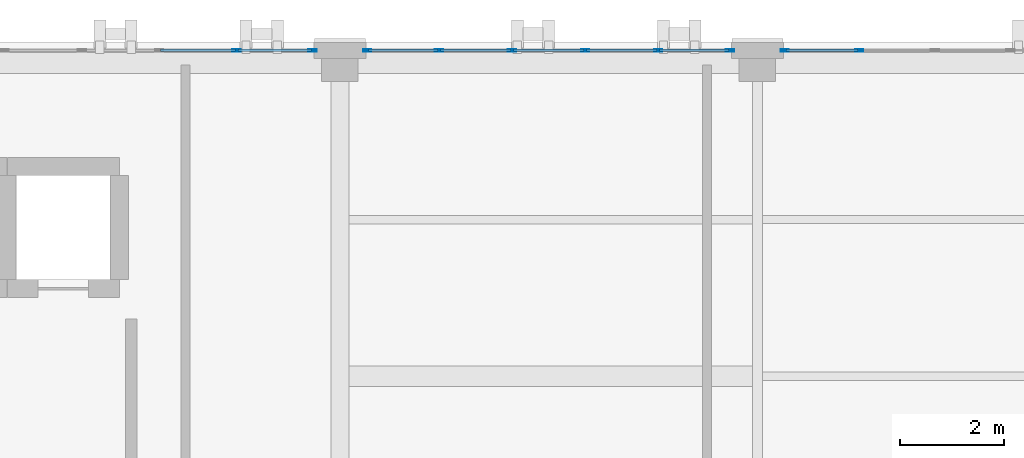
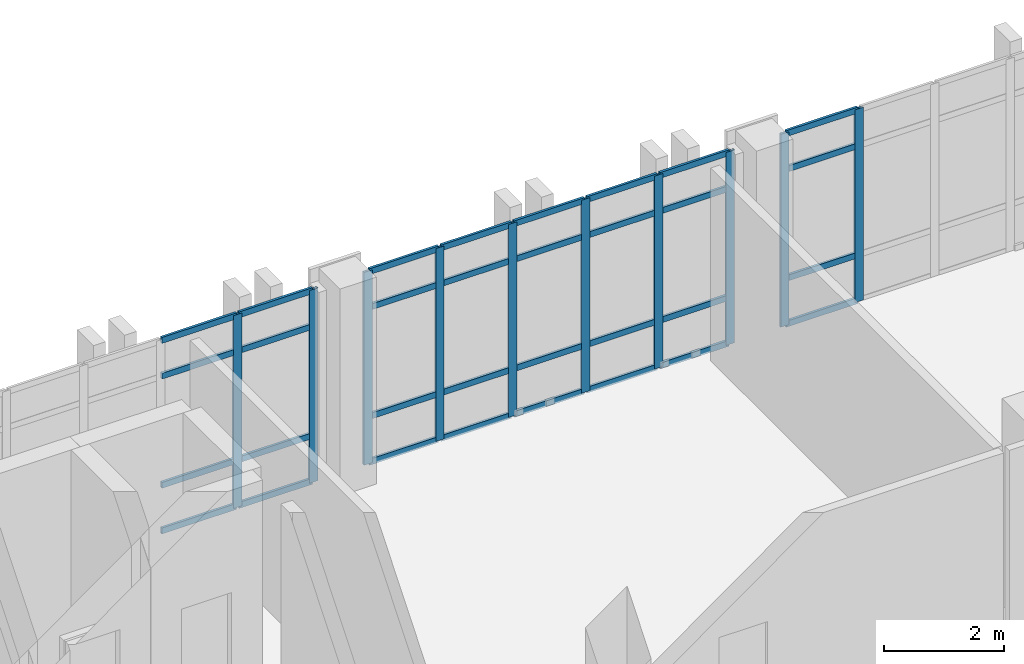
# One storey, part 97 of 193: 42 members, 3 elements without a shape of their own.
"""IFC4 building model written with IfcOpenShell, lengths in metres."""

from ifc_helpers import new_model, si_unit, direction, frame, origin, origin_2d, place, context, subcontext, project, spatial, hollow_rectangle, extrude, material, layer, layer_set, material_profile, profile_set, type_object, element, aggregate, save


model = new_model("IFC4")

# Units and contexts
model_context = context("Model", 3, precision=1e-05, world=origin(), true_north=direction((0.0, 1.0)))
body_context = subcontext(model_context, "Body", "Model", "MODEL_VIEW")
ifc_project = project(units=[si_unit("LENGTHUNIT", "METRE"), si_unit("AREAUNIT", "SQUARE_METRE"), si_unit("VOLUMEUNIT", "CUBIC_METRE"), si_unit("PLANEANGLEUNIT", "RADIAN"), si_unit("MASSUNIT", "GRAM", prefix="KILO")], contexts=[model_context])

# Site, building, storey
site_placement = place(None, origin())
site = spatial("IfcSite", under=ifc_project, at=site_placement, CompositionType="ELEMENT")
building_placement = place(site_placement, origin())
building = spatial("IfcBuilding", under=site, at=building_placement, Name="Qalavern Law Courts", CompositionType="ELEMENT")
storey_placement = place(building_placement, frame((0.0, 0.0, 10.199951171875)))
storey = spatial("IfcBuildingStorey", under=building, at=storey_placement, Name="L02", CompositionType="ELEMENT", Elevation=10.199951171875)

# Curtain wall, members
ifc_material_1 = material(Name="Anodised aluminium and insulated glazing", Category="aluminium")
ifc_layer = layer(ifc_material_1, 0.166015625)
ifc_layer_set = layer_set([ifc_layer], Name="Anodised aluminium and insulated glazing")
curtain_wall_type = type_object("IfcCurtainWallType", Name="ENV-CW-LIB", PredefinedType="USERDEFINED", material=ifc_layer_set)
curtain_wall_1_placement = place(storey_placement, origin())
curtain_wall_1 = element("IfcCurtainWall", 1, at=curtain_wall_1_placement, inside=storey, type_object=curtain_wall_type, Name="V5 unitised curtain wall L02 north 3", ObjectType="UNITISED CURTAIN WALL", PredefinedType="USERDEFINED")
ifc_material_2 = material(Name="Anodised aluminium", Category="aluminium")
ifc_material_profile_1 = material_profile(ifc_material_2, hollow_rectangle(XDim=0.048095703125, YDim=0.159912109375, WallThickness=0.00390625, at=origin_2d()), Name="ALU MULLION 48x160")
ifc_profile_set_1 = profile_set([ifc_material_profile_1], Name="Anodised aluminium")
member_type_1 = type_object("IfcMemberType", Name="ENV-CWM-48x160", PredefinedType="MULLION", material=ifc_profile_set_1)
member_1_placement = place(storey_placement, frame((46.75, 112.844970703125, 0.0), z_axis=(0.0, 0.0, 1.0), x_axis=(0.0, -1.0, 0.0)))
member_1 = element("IfcMember", 2, at=member_1_placement, type_object=member_type_1, Name="CW-05 mullion 4", PredefinedType="MULLION", context=body_context, shape_type="SweptSolid", body=[
    extrude(hollow_rectangle(XDim=0.048095703125, YDim=0.159912109375, WallThickness=0.00390625, at=origin_2d()), origin(), (0.0, 0.0, 1.0), 3.9150390625),
])
member_2_placement = place(storey_placement, frame((45.323974609375, 112.844970703125, 0.0), z_axis=(0.0, 0.0, 1.0), x_axis=(0.0, -1.0, 0.0)))
member_2 = element("IfcMember", 3, at=member_2_placement, type_object=member_type_1, Name="CW-05 mullion 5", PredefinedType="MULLION", context=body_context, shape_type="SweptSolid", body=[
    extrude(hollow_rectangle(XDim=0.048095703125, YDim=0.159912109375, WallThickness=0.00390625, at=origin_2d()), origin(), (0.0, 0.0, 1.0), 3.9150390625),
])

curtain_wall_2_placement = place(storey_placement, origin())
curtain_wall_2 = element("IfcCurtainWall", 4, at=curtain_wall_2_placement, inside=storey, type_object=curtain_wall_type, Name="V5 unitised curtain wall L02 north 4", ObjectType="UNITISED CURTAIN WALL", PredefinedType="USERDEFINED")
member_3_placement = place(storey_placement, frame((44.27587890625, 112.844970703125, 0.0), z_axis=(0.0, 0.0, 1.0), x_axis=(0.0, -1.0, 0.0)))
member_3 = element("IfcMember", 5, at=member_3_placement, type_object=member_type_1, Name="CW-05 mullion 1", PredefinedType="MULLION", context=body_context, shape_type="SweptSolid", body=[
    extrude(hollow_rectangle(XDim=0.048095703125, YDim=0.159912109375, WallThickness=0.00390625, at=origin_2d()), origin(), (0.0, 0.0, 1.0), 3.9150390625),
])
member_4_placement = place(storey_placement, frame((42.89990234375, 112.844970703125, 0.0), z_axis=(0.0, 0.0, 1.0), x_axis=(0.0, -1.0, 0.0)))
member_4 = element("IfcMember", 6, at=member_4_placement, type_object=member_type_1, Name="CW-05 mullion 2", PredefinedType="MULLION", context=body_context, shape_type="SweptSolid", body=[
    extrude(hollow_rectangle(XDim=0.048095703125, YDim=0.159912109375, WallThickness=0.00390625, at=origin_2d()), origin(), (0.0, 0.0, 1.0), 3.9150390625),
])
member_5_placement = place(storey_placement, frame((41.5, 112.844970703125, 0.0), z_axis=(0.0, 0.0, 1.0), x_axis=(0.0, -1.0, 0.0)))
member_5 = element("IfcMember", 7, at=member_5_placement, type_object=member_type_1, Name="CW-05 mullion 3", PredefinedType="MULLION", context=body_context, shape_type="SweptSolid", body=[
    extrude(hollow_rectangle(XDim=0.048095703125, YDim=0.159912109375, WallThickness=0.00390625, at=origin_2d()), origin(), (0.0, 0.0, 1.0), 3.9150390625),
])
member_6_placement = place(storey_placement, frame((40.10009765625, 112.844970703125, 0.0), z_axis=(0.0, 0.0, 1.0), x_axis=(0.0, -1.0, 0.0)))
member_6 = element("IfcMember", 8, at=member_6_placement, type_object=member_type_1, Name="CW-05 mullion 4", PredefinedType="MULLION", context=body_context, shape_type="SweptSolid", body=[
    extrude(hollow_rectangle(XDim=0.048095703125, YDim=0.159912109375, WallThickness=0.00390625, at=origin_2d()), origin(), (0.0, 0.0, 1.0), 3.9150390625),
])
member_7_placement = place(storey_placement, frame((38.699951171875, 112.844970703125, 0.0), z_axis=(0.0, 0.0, 1.0), x_axis=(0.0, -1.0, 0.0)))
member_7 = element("IfcMember", 9, at=member_7_placement, type_object=member_type_1, Name="CW-05 mullion 5", PredefinedType="MULLION", context=body_context, shape_type="SweptSolid", body=[
    extrude(hollow_rectangle(XDim=0.048095703125, YDim=0.159912109375, WallThickness=0.00390625, at=origin_2d()), origin(), (0.0, 0.0, 1.0), 3.9150390625),
])
member_8_placement = place(storey_placement, frame((37.323974609375, 112.844970703125, 0.0), z_axis=(0.0, 0.0, 1.0), x_axis=(0.0, -1.0, 0.0)))
member_8 = element("IfcMember", 10, at=member_8_placement, type_object=member_type_1, Name="CW-05 mullion 6", PredefinedType="MULLION", context=body_context, shape_type="SweptSolid", body=[
    extrude(hollow_rectangle(XDim=0.048095703125, YDim=0.159912109375, WallThickness=0.00390625, at=origin_2d()), origin(), (0.0, 0.0, 1.0), 3.9150390625),
])

curtain_wall_3_placement = place(storey_placement, origin())
curtain_wall_3 = element("IfcCurtainWall", 11, at=curtain_wall_3_placement, inside=storey, type_object=curtain_wall_type, Name="V5 unitised curtain wall L02 north 5", ObjectType="UNITISED CURTAIN WALL", PredefinedType="USERDEFINED")
member_9_placement = place(storey_placement, frame((36.27587890625, 112.844970703125, 0.0), z_axis=(0.0, 0.0, 1.0), x_axis=(0.0, -1.0, 0.0)))
member_9 = element("IfcMember", 12, at=member_9_placement, type_object=member_type_1, Name="CW-05 mullion 1", PredefinedType="MULLION", context=body_context, shape_type="SweptSolid", body=[
    extrude(hollow_rectangle(XDim=0.048095703125, YDim=0.159912109375, WallThickness=0.00390625, at=origin_2d()), origin(), (0.0, 0.0, 1.0), 3.9150390625),
])
member_10_placement = place(storey_placement, frame((34.820068359375, 112.844970703125, 0.0), z_axis=(0.0, 0.0, 1.0), x_axis=(0.0, -1.0, 0.0)))
member_10 = element("IfcMember", 13, at=member_10_placement, type_object=member_type_1, Name="CW-05 mullion 2", PredefinedType="MULLION", context=body_context, shape_type="SweptSolid", body=[
    extrude(hollow_rectangle(XDim=0.048095703125, YDim=0.159912109375, WallThickness=0.00390625, at=origin_2d()), origin(), (0.0, 0.0, 1.0), 3.9150390625),
])

# Member
ifc_material_profile_2 = material_profile(ifc_material_2, hollow_rectangle(XDim=0.048095703125, YDim=0.1201171875, WallThickness=0.00390625, at=origin_2d()), Name="ALU TRANSOM 48x120")
ifc_profile_set_2 = profile_set([ifc_material_profile_2], Name="Anodised aluminium")
member_type_2 = type_object("IfcMemberType", Name="ENV-CWT-48x120", PredefinedType="USERDEFINED", material=ifc_profile_set_2)
member_11_placement = place(storey_placement, frame((46.72607421875, 112.844970703125, 0.024169921875), z_axis=(-1.0, 0.0, 0.0), x_axis=(0.0, -1.0, 0.0)))
member_11 = element("IfcMember", 14, at=member_11_placement, type_object=member_type_2, Name="CW-05 transom 4.1", ObjectType="TRANSOM", PredefinedType="USERDEFINED", context=body_context, shape_type="SweptSolid", body=[
    extrude(hollow_rectangle(XDim=0.048095703125, YDim=0.1201171875, WallThickness=0.00390625, at=origin_2d()), origin(), (0.0, 0.0, 1.0), 1.378173828125),
])

member_12_placement = place(storey_placement, frame((46.72607421875, 112.844970703125, 0.949951171875), z_axis=(-1.0, 0.0, 0.0), x_axis=(0.0, -1.0, 0.0)))
member_12 = element("IfcMember", 15, at=member_12_placement, type_object=member_type_2, Name="CW-05 transom 4.2", ObjectType="TRANSOM", PredefinedType="USERDEFINED", context=body_context, shape_type="SweptSolid", body=[
    extrude(hollow_rectangle(XDim=0.048095703125, YDim=0.1201171875, WallThickness=0.00390625, at=origin_2d()), origin(), (0.0, 0.0, 1.0), 1.378173828125),
])

member_13_placement = place(storey_placement, frame((46.72607421875, 112.844970703125, 3.1650390625), z_axis=(-1.0, 0.0, 0.0), x_axis=(0.0, -1.0, 0.0)))
member_13 = element("IfcMember", 16, at=member_13_placement, type_object=member_type_2, Name="CW-05 transom 4.3", ObjectType="TRANSOM", PredefinedType="USERDEFINED", context=body_context, shape_type="SweptSolid", body=[
    extrude(hollow_rectangle(XDim=0.048095703125, YDim=0.1201171875, WallThickness=0.00390625, at=origin_2d()), origin(), (0.0, 0.0, 1.0), 1.378173828125),
])

member_14_placement = place(storey_placement, frame((46.72607421875, 112.844970703125, 3.89111328125), z_axis=(-1.0, 0.0, 0.0), x_axis=(0.0, -1.0, 0.0)))
member_14 = element("IfcMember", 17, at=member_14_placement, type_object=member_type_2, Name="CW-05 transom 4.4", ObjectType="TRANSOM", PredefinedType="USERDEFINED", context=body_context, shape_type="SweptSolid", body=[
    extrude(hollow_rectangle(XDim=0.048095703125, YDim=0.1201171875, WallThickness=0.00390625, at=origin_2d()), origin(), (0.0, 0.0, 1.0), 1.378173828125),
])

aggregate(curtain_wall_1, [member_1, member_2, member_11, member_12, member_13, member_14])

member_15_placement = place(storey_placement, frame((44.251953125, 112.844970703125, 0.024169921875), z_axis=(-1.0, 0.0, 0.0), x_axis=(0.0, -1.0, 0.0)))
member_15 = element("IfcMember", 18, at=member_15_placement, type_object=member_type_2, Name="CW-05 transom 1.1", ObjectType="TRANSOM", PredefinedType="USERDEFINED", context=body_context, shape_type="SweptSolid", body=[
    extrude(hollow_rectangle(XDim=0.048095703125, YDim=0.1201171875, WallThickness=0.00390625, at=origin_2d()), origin(), (0.0, 0.0, 1.0), 1.327880859375),
])

member_16_placement = place(storey_placement, frame((44.251953125, 112.844970703125, 0.949951171875), z_axis=(-1.0, 0.0, 0.0), x_axis=(0.0, -1.0, 0.0)))
member_16 = element("IfcMember", 19, at=member_16_placement, type_object=member_type_2, Name="CW-05 transom 1.2", ObjectType="TRANSOM", PredefinedType="USERDEFINED", context=body_context, shape_type="SweptSolid", body=[
    extrude(hollow_rectangle(XDim=0.048095703125, YDim=0.1201171875, WallThickness=0.00390625, at=origin_2d()), origin(), (0.0, 0.0, 1.0), 1.327880859375),
])

member_17_placement = place(storey_placement, frame((44.251953125, 112.844970703125, 3.1650390625), z_axis=(-1.0, 0.0, 0.0), x_axis=(0.0, -1.0, 0.0)))
member_17 = element("IfcMember", 20, at=member_17_placement, type_object=member_type_2, Name="CW-05 transom 1.3", ObjectType="TRANSOM", PredefinedType="USERDEFINED", context=body_context, shape_type="SweptSolid", body=[
    extrude(hollow_rectangle(XDim=0.048095703125, YDim=0.1201171875, WallThickness=0.00390625, at=origin_2d()), origin(), (0.0, 0.0, 1.0), 1.327880859375),
])

member_18_placement = place(storey_placement, frame((44.251953125, 112.844970703125, 3.89111328125), z_axis=(-1.0, 0.0, 0.0), x_axis=(0.0, -1.0, 0.0)))
member_18 = element("IfcMember", 21, at=member_18_placement, type_object=member_type_2, Name="CW-05 transom 1.4", ObjectType="TRANSOM", PredefinedType="USERDEFINED", context=body_context, shape_type="SweptSolid", body=[
    extrude(hollow_rectangle(XDim=0.048095703125, YDim=0.1201171875, WallThickness=0.00390625, at=origin_2d()), origin(), (0.0, 0.0, 1.0), 1.327880859375),
])

member_19_placement = place(storey_placement, frame((42.8759765625, 112.844970703125, 0.024169921875), z_axis=(-1.0, 0.0, 0.0), x_axis=(0.0, -1.0, 0.0)))
member_19 = element("IfcMember", 22, at=member_19_placement, type_object=member_type_2, Name="CW-05 transom 2.1", ObjectType="TRANSOM", PredefinedType="USERDEFINED", context=body_context, shape_type="SweptSolid", body=[
    extrude(hollow_rectangle(XDim=0.048095703125, YDim=0.1201171875, WallThickness=0.00390625, at=origin_2d()), origin(), (0.0, 0.0, 1.0), 1.35205078125),
])

member_20_placement = place(storey_placement, frame((42.8759765625, 112.844970703125, 0.949951171875), z_axis=(-1.0, 0.0, 0.0), x_axis=(0.0, -1.0, 0.0)))
member_20 = element("IfcMember", 23, at=member_20_placement, type_object=member_type_2, Name="CW-05 transom 2.2", ObjectType="TRANSOM", PredefinedType="USERDEFINED", context=body_context, shape_type="SweptSolid", body=[
    extrude(hollow_rectangle(XDim=0.048095703125, YDim=0.1201171875, WallThickness=0.00390625, at=origin_2d()), origin(), (0.0, 0.0, 1.0), 1.35205078125),
])

member_21_placement = place(storey_placement, frame((42.8759765625, 112.844970703125, 3.1650390625), z_axis=(-1.0, 0.0, 0.0), x_axis=(0.0, -1.0, 0.0)))
member_21 = element("IfcMember", 24, at=member_21_placement, type_object=member_type_2, Name="CW-05 transom 2.3", ObjectType="TRANSOM", PredefinedType="USERDEFINED", context=body_context, shape_type="SweptSolid", body=[
    extrude(hollow_rectangle(XDim=0.048095703125, YDim=0.1201171875, WallThickness=0.00390625, at=origin_2d()), origin(), (0.0, 0.0, 1.0), 1.35205078125),
])

member_22_placement = place(storey_placement, frame((42.8759765625, 112.844970703125, 3.89111328125), z_axis=(-1.0, 0.0, 0.0), x_axis=(0.0, -1.0, 0.0)))
member_22 = element("IfcMember", 25, at=member_22_placement, type_object=member_type_2, Name="CW-05 transom 2.4", ObjectType="TRANSOM", PredefinedType="USERDEFINED", context=body_context, shape_type="SweptSolid", body=[
    extrude(hollow_rectangle(XDim=0.048095703125, YDim=0.1201171875, WallThickness=0.00390625, at=origin_2d()), origin(), (0.0, 0.0, 1.0), 1.35205078125),
])

member_23_placement = place(storey_placement, frame((41.47607421875, 112.844970703125, 0.024169921875), z_axis=(-1.0, 0.0, 0.0), x_axis=(0.0, -1.0, 0.0)))
member_23 = element("IfcMember", 26, at=member_23_placement, type_object=member_type_2, Name="CW-05 transom 3.1", ObjectType="TRANSOM", PredefinedType="USERDEFINED", context=body_context, shape_type="SweptSolid", body=[
    extrude(hollow_rectangle(XDim=0.048095703125, YDim=0.1201171875, WallThickness=0.00390625, at=origin_2d()), origin(), (0.0, 0.0, 1.0), 1.35205078125),
])

member_24_placement = place(storey_placement, frame((41.47607421875, 112.844970703125, 0.949951171875), z_axis=(-1.0, 0.0, 0.0), x_axis=(0.0, -1.0, 0.0)))
member_24 = element("IfcMember", 27, at=member_24_placement, type_object=member_type_2, Name="CW-05 transom 3.2", ObjectType="TRANSOM", PredefinedType="USERDEFINED", context=body_context, shape_type="SweptSolid", body=[
    extrude(hollow_rectangle(XDim=0.048095703125, YDim=0.1201171875, WallThickness=0.00390625, at=origin_2d()), origin(), (0.0, 0.0, 1.0), 1.35205078125),
])

member_25_placement = place(storey_placement, frame((41.47607421875, 112.844970703125, 3.1650390625), z_axis=(-1.0, 0.0, 0.0), x_axis=(0.0, -1.0, 0.0)))
member_25 = element("IfcMember", 28, at=member_25_placement, type_object=member_type_2, Name="CW-05 transom 3.3", ObjectType="TRANSOM", PredefinedType="USERDEFINED", context=body_context, shape_type="SweptSolid", body=[
    extrude(hollow_rectangle(XDim=0.048095703125, YDim=0.1201171875, WallThickness=0.00390625, at=origin_2d()), origin(), (0.0, 0.0, 1.0), 1.35205078125),
])

member_26_placement = place(storey_placement, frame((41.47607421875, 112.844970703125, 3.89111328125), z_axis=(-1.0, 0.0, 0.0), x_axis=(0.0, -1.0, 0.0)))
member_26 = element("IfcMember", 29, at=member_26_placement, type_object=member_type_2, Name="CW-05 transom 3.4", ObjectType="TRANSOM", PredefinedType="USERDEFINED", context=body_context, shape_type="SweptSolid", body=[
    extrude(hollow_rectangle(XDim=0.048095703125, YDim=0.1201171875, WallThickness=0.00390625, at=origin_2d()), origin(), (0.0, 0.0, 1.0), 1.35205078125),
])

member_27_placement = place(storey_placement, frame((40.075927734375, 112.844970703125, 0.024169921875), z_axis=(-1.0, 0.0, 0.0), x_axis=(0.0, -1.0, 0.0)))
member_27 = element("IfcMember", 30, at=member_27_placement, type_object=member_type_2, Name="CW-05 transom 4.1", ObjectType="TRANSOM", PredefinedType="USERDEFINED", context=body_context, shape_type="SweptSolid", body=[
    extrude(hollow_rectangle(XDim=0.048095703125, YDim=0.1201171875, WallThickness=0.00390625, at=origin_2d()), origin(), (0.0, 0.0, 1.0), 1.351806640625),
])

member_28_placement = place(storey_placement, frame((40.075927734375, 112.844970703125, 0.949951171875), z_axis=(-1.0, 0.0, 0.0), x_axis=(0.0, -1.0, 0.0)))
member_28 = element("IfcMember", 31, at=member_28_placement, type_object=member_type_2, Name="CW-05 transom 4.2", ObjectType="TRANSOM", PredefinedType="USERDEFINED", context=body_context, shape_type="SweptSolid", body=[
    extrude(hollow_rectangle(XDim=0.048095703125, YDim=0.1201171875, WallThickness=0.00390625, at=origin_2d()), origin(), (0.0, 0.0, 1.0), 1.351806640625),
])

member_29_placement = place(storey_placement, frame((40.075927734375, 112.844970703125, 3.1650390625), z_axis=(-1.0, 0.0, 0.0), x_axis=(0.0, -1.0, 0.0)))
member_29 = element("IfcMember", 32, at=member_29_placement, type_object=member_type_2, Name="CW-05 transom 4.3", ObjectType="TRANSOM", PredefinedType="USERDEFINED", context=body_context, shape_type="SweptSolid", body=[
    extrude(hollow_rectangle(XDim=0.048095703125, YDim=0.1201171875, WallThickness=0.00390625, at=origin_2d()), origin(), (0.0, 0.0, 1.0), 1.351806640625),
])

member_30_placement = place(storey_placement, frame((40.075927734375, 112.844970703125, 3.89111328125), z_axis=(-1.0, 0.0, 0.0), x_axis=(0.0, -1.0, 0.0)))
member_30 = element("IfcMember", 33, at=member_30_placement, type_object=member_type_2, Name="CW-05 transom 4.4", ObjectType="TRANSOM", PredefinedType="USERDEFINED", context=body_context, shape_type="SweptSolid", body=[
    extrude(hollow_rectangle(XDim=0.048095703125, YDim=0.1201171875, WallThickness=0.00390625, at=origin_2d()), origin(), (0.0, 0.0, 1.0), 1.351806640625),
])

member_31_placement = place(storey_placement, frame((38.676025390625, 112.844970703125, 0.024169921875), z_axis=(-1.0, 0.0, 0.0), x_axis=(0.0, -1.0, 0.0)))
member_31 = element("IfcMember", 34, at=member_31_placement, type_object=member_type_2, Name="CW-05 transom 5.1", ObjectType="TRANSOM", PredefinedType="USERDEFINED", context=body_context, shape_type="SweptSolid", body=[
    extrude(hollow_rectangle(XDim=0.048095703125, YDim=0.1201171875, WallThickness=0.00390625, at=origin_2d()), origin(), (0.0, 0.0, 1.0), 1.328125),
])

member_32_placement = place(storey_placement, frame((38.676025390625, 112.844970703125, 0.949951171875), z_axis=(-1.0, 0.0, 0.0), x_axis=(0.0, -1.0, 0.0)))
member_32 = element("IfcMember", 35, at=member_32_placement, type_object=member_type_2, Name="CW-05 transom 5.2", ObjectType="TRANSOM", PredefinedType="USERDEFINED", context=body_context, shape_type="SweptSolid", body=[
    extrude(hollow_rectangle(XDim=0.048095703125, YDim=0.1201171875, WallThickness=0.00390625, at=origin_2d()), origin(), (0.0, 0.0, 1.0), 1.328125),
])

member_33_placement = place(storey_placement, frame((38.676025390625, 112.844970703125, 3.1650390625), z_axis=(-1.0, 0.0, 0.0), x_axis=(0.0, -1.0, 0.0)))
member_33 = element("IfcMember", 36, at=member_33_placement, type_object=member_type_2, Name="CW-05 transom 5.3", ObjectType="TRANSOM", PredefinedType="USERDEFINED", context=body_context, shape_type="SweptSolid", body=[
    extrude(hollow_rectangle(XDim=0.048095703125, YDim=0.1201171875, WallThickness=0.00390625, at=origin_2d()), origin(), (0.0, 0.0, 1.0), 1.328125),
])

member_34_placement = place(storey_placement, frame((38.676025390625, 112.844970703125, 3.89111328125), z_axis=(-1.0, 0.0, 0.0), x_axis=(0.0, -1.0, 0.0)))
member_34 = element("IfcMember", 37, at=member_34_placement, type_object=member_type_2, Name="CW-05 transom 5.4", ObjectType="TRANSOM", PredefinedType="USERDEFINED", context=body_context, shape_type="SweptSolid", body=[
    extrude(hollow_rectangle(XDim=0.048095703125, YDim=0.1201171875, WallThickness=0.00390625, at=origin_2d()), origin(), (0.0, 0.0, 1.0), 1.328125),
])

aggregate(curtain_wall_2, [member_3, member_4, member_5, member_6, member_7, member_8, member_15, member_16, member_17, member_18, member_19, member_20, member_21, member_22, member_23, member_24, member_25, member_26, member_27, member_28, member_29, member_30, member_31, member_32, member_33, member_34])

member_35_placement = place(storey_placement, frame((36.251953125, 112.844970703125, 0.024169921875), z_axis=(-1.0, 0.0, 0.0), x_axis=(0.0, -1.0, 0.0)))
member_35 = element("IfcMember", 38, at=member_35_placement, type_object=member_type_2, Name="CW-05 transom 1.1", ObjectType="TRANSOM", PredefinedType="USERDEFINED", context=body_context, shape_type="SweptSolid", body=[
    extrude(hollow_rectangle(XDim=0.048095703125, YDim=0.1201171875, WallThickness=0.00390625, at=origin_2d()), origin(), (0.0, 0.0, 1.0), 1.407958984375),
])

member_36_placement = place(storey_placement, frame((36.251953125, 112.844970703125, 0.949951171875), z_axis=(-1.0, 0.0, 0.0), x_axis=(0.0, -1.0, 0.0)))
member_36 = element("IfcMember", 39, at=member_36_placement, type_object=member_type_2, Name="CW-05 transom 1.2", ObjectType="TRANSOM", PredefinedType="USERDEFINED", context=body_context, shape_type="SweptSolid", body=[
    extrude(hollow_rectangle(XDim=0.048095703125, YDim=0.1201171875, WallThickness=0.00390625, at=origin_2d()), origin(), (0.0, 0.0, 1.0), 1.407958984375),
])

member_37_placement = place(storey_placement, frame((36.251953125, 112.844970703125, 3.1650390625), z_axis=(-1.0, 0.0, 0.0), x_axis=(0.0, -1.0, 0.0)))
member_37 = element("IfcMember", 40, at=member_37_placement, type_object=member_type_2, Name="CW-05 transom 1.3", ObjectType="TRANSOM", PredefinedType="USERDEFINED", context=body_context, shape_type="SweptSolid", body=[
    extrude(hollow_rectangle(XDim=0.048095703125, YDim=0.1201171875, WallThickness=0.00390625, at=origin_2d()), origin(), (0.0, 0.0, 1.0), 1.407958984375),
])

member_38_placement = place(storey_placement, frame((36.251953125, 112.844970703125, 3.89111328125), z_axis=(-1.0, 0.0, 0.0), x_axis=(0.0, -1.0, 0.0)))
member_38 = element("IfcMember", 41, at=member_38_placement, type_object=member_type_2, Name="CW-05 transom 1.4", ObjectType="TRANSOM", PredefinedType="USERDEFINED", context=body_context, shape_type="SweptSolid", body=[
    extrude(hollow_rectangle(XDim=0.048095703125, YDim=0.1201171875, WallThickness=0.00390625, at=origin_2d()), origin(), (0.0, 0.0, 1.0), 1.407958984375),
])

member_39_placement = place(storey_placement, frame((34.7958984375, 112.844970703125, 0.024169921875), z_axis=(-1.0, 0.0, 0.0), x_axis=(0.0, -1.0, 0.0)))
member_39 = element("IfcMember", 42, at=member_39_placement, type_object=member_type_2, Name="CW-05 transom 2.1", ObjectType="TRANSOM", PredefinedType="USERDEFINED", context=body_context, shape_type="SweptSolid", body=[
    extrude(hollow_rectangle(XDim=0.048095703125, YDim=0.1201171875, WallThickness=0.00390625, at=origin_2d()), origin(), (0.0, 0.0, 1.0), 1.431884765625),
])

member_40_placement = place(storey_placement, frame((34.7958984375, 112.844970703125, 0.949951171875), z_axis=(-1.0, 0.0, 0.0), x_axis=(0.0, -1.0, 0.0)))
member_40 = element("IfcMember", 43, at=member_40_placement, type_object=member_type_2, Name="CW-05 transom 2.2", ObjectType="TRANSOM", PredefinedType="USERDEFINED", context=body_context, shape_type="SweptSolid", body=[
    extrude(hollow_rectangle(XDim=0.048095703125, YDim=0.1201171875, WallThickness=0.00390625, at=origin_2d()), origin(), (0.0, 0.0, 1.0), 1.431884765625),
])

member_41_placement = place(storey_placement, frame((34.7958984375, 112.844970703125, 3.1650390625), z_axis=(-1.0, 0.0, 0.0), x_axis=(0.0, -1.0, 0.0)))
member_41 = element("IfcMember", 44, at=member_41_placement, type_object=member_type_2, Name="CW-05 transom 2.3", ObjectType="TRANSOM", PredefinedType="USERDEFINED", context=body_context, shape_type="SweptSolid", body=[
    extrude(hollow_rectangle(XDim=0.048095703125, YDim=0.1201171875, WallThickness=0.00390625, at=origin_2d()), origin(), (0.0, 0.0, 1.0), 1.431884765625),
])

member_42_placement = place(storey_placement, frame((34.7958984375, 112.844970703125, 3.89111328125), z_axis=(-1.0, 0.0, 0.0), x_axis=(0.0, -1.0, 0.0)))
member_42 = element("IfcMember", 45, at=member_42_placement, type_object=member_type_2, Name="CW-05 transom 2.4", ObjectType="TRANSOM", PredefinedType="USERDEFINED", context=body_context, shape_type="SweptSolid", body=[
    extrude(hollow_rectangle(XDim=0.048095703125, YDim=0.1201171875, WallThickness=0.00390625, at=origin_2d()), origin(), (0.0, 0.0, 1.0), 1.431884765625),
])

aggregate(curtain_wall_3, [member_9, member_10, member_35, member_36, member_37, member_38, member_39, member_40, member_41, member_42])

save(model, "model.ifc")
